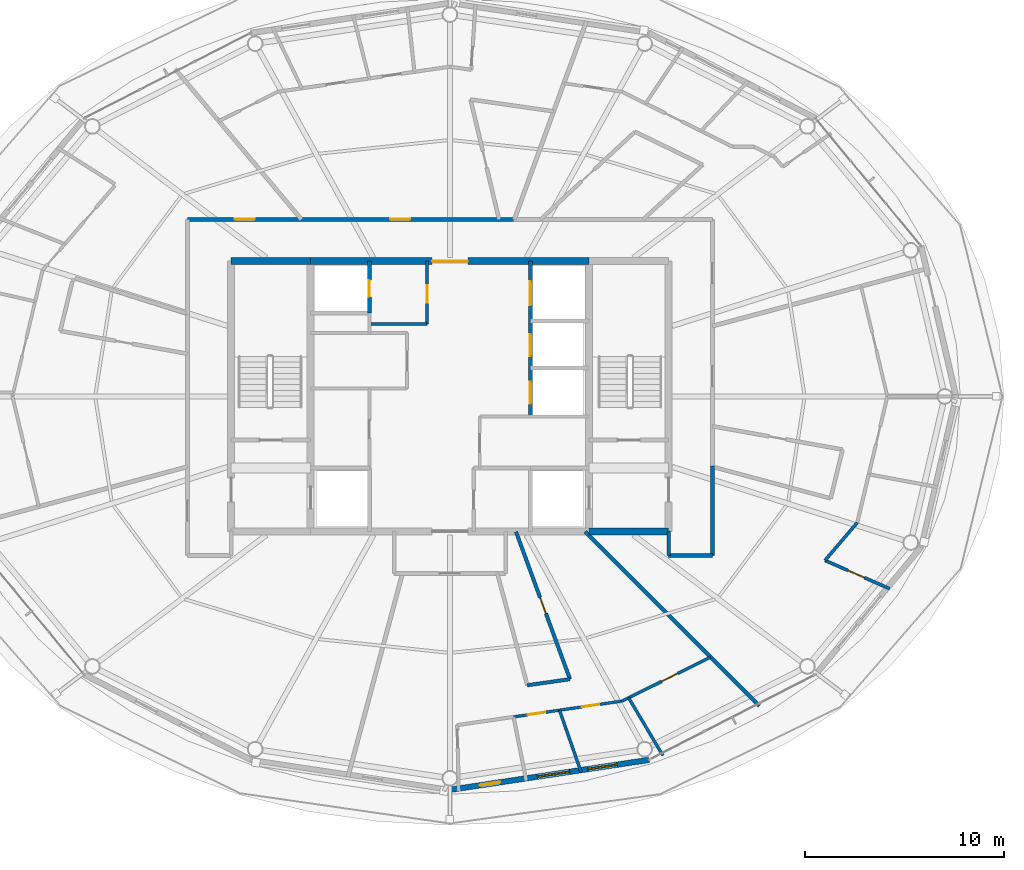
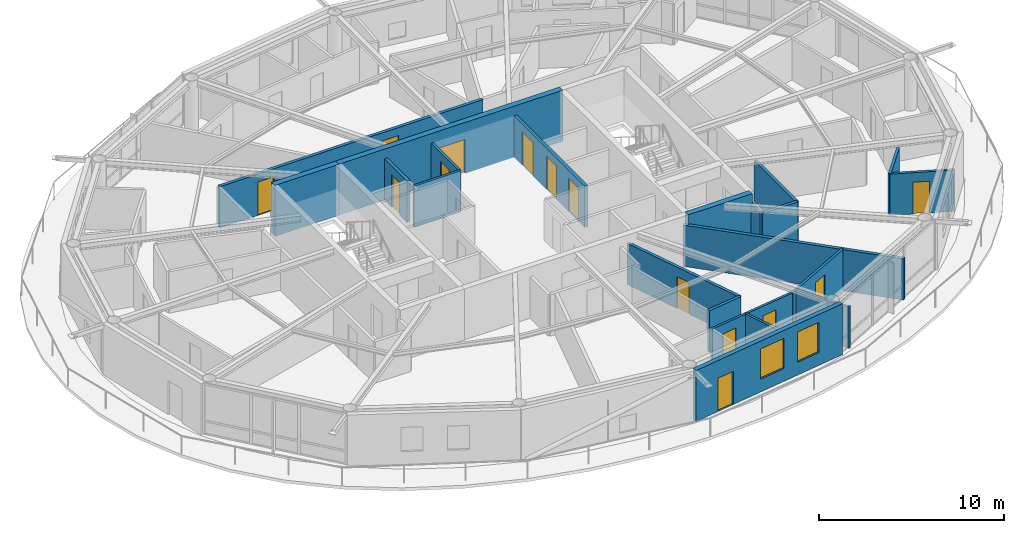
# One storey, part 17 of 23: 21 walls, 14 doors, 2 windows, 16 openings.
"""IFC4 building model written with IfcOpenShell, lengths in metres."""

from ifc_helpers import new_model, si_unit, direction, frame, frame_2d, origin, place, context, subcontext, project, spatial, rectangle, extrude, material, layer, layer_set, type_object, element, fill, save


model = new_model("IFC4")

# Units and contexts
model_context = context("Model", 3, precision=1e-05, world=origin(), true_north=direction((0.0, 1.0)))
body_context = subcontext(model_context, "Body", "Model", "MODEL_VIEW")
ifc_project = project(units=[si_unit("LENGTHUNIT", "METRE"), si_unit("AREAUNIT", "SQUARE_METRE"), si_unit("VOLUMEUNIT", "CUBIC_METRE"), si_unit("PLANEANGLEUNIT", "RADIAN"), si_unit("MASSUNIT", "GRAM", prefix="KILO")], contexts=[model_context])

# Site, building, storey
site_placement = place(None, origin())
site = spatial("IfcSite", under=ifc_project, at=site_placement, CompositionType="ELEMENT")
building_placement = place(site_placement, origin())
building = spatial("IfcBuilding", under=site, at=building_placement, Name="Sarneth Arch Tower", CompositionType="ELEMENT")
storey_placement = place(building_placement, frame((0.0, 0.0, 265.800048828125)))
storey = spatial("IfcBuildingStorey", under=building, at=storey_placement, Name="L68", CompositionType="ELEMENT", Elevation=265.800048828125)

# Walls
ifc_material_1 = material(Name="Concrete C50/60", Category="concrete")
ifc_layer_1 = layer(ifc_material_1, 0.35009765625)
ifc_layer_set_1 = layer_set([ifc_layer_1], Name="Concrete C50/60")
wall_type_1 = type_object("IfcWallType", Name="WALL-CORE-350", PredefinedType="SHEAR", material=ifc_layer_set_1)
for number, where, z_axis, x_axis, name in (
    (1, (55.0, 35.199951171875, 0.0), (0.0, 0.0, 1.0), (1.0, 0.0, 0.0), "L68 Core shear wall S-E"),
    (2, (37.0, 48.800048828125, 0.0), (0.0, 0.0, 1.0), (1.0, 0.0, 0.0), "L68 Core shear wall N-W"),
):
    element("IfcWall", number, at=place(storey_placement, frame(where, z_axis=z_axis, x_axis=x_axis)), inside=storey, type_object=wall_type_1, Name=name, PredefinedType="SHEAR", context=body_context, shape_type="SweptSolid", body=[
        extrude(rectangle(XDim=4.0, YDim=0.35009765625, at=frame_2d((2.0, 0.0))), origin(), (0.0, 0.0, 1.0), 3.369873046875),
    ])

# Wall, opening, door
wall_1_placement = place(storey_placement, frame((41.0, 48.800048828125, 0.0), z_axis=(0.0, 0.0, 1.0), x_axis=(1.0, 0.0, 0.0)))
wall_1 = element("IfcWall", 3, at=wall_1_placement, inside=storey, type_object=wall_type_1, Name="L68 Core shear wall N-M", PredefinedType="SHEAR", context=body_context, shape_type="SweptSolid", body=[
    extrude(rectangle(XDim=14.0, YDim=0.35009765625, at=frame_2d((7.0, 0.0))), origin(), (0.0, 0.0, 1.0), 3.369873046875),
])
opening_1_placement = place(wall_1_placement, frame((6.10009765625, 0.0, 0.0)))
opening_1 = element("IfcOpeningElement", 4, at=opening_1_placement, cuts=wall_1, Name="Opening FD-01", PredefinedType="OPENING", context=body_context, shape_type="SweptSolid", body=[
    extrude(rectangle(XDim=1.800048828125, YDim=2.25, at=frame_2d((0.89990234375, 1.125))), frame((0.0, 0.18505859375, 0.0), z_axis=(0.0, -1.0, 0.0), x_axis=(1.0, 0.0, 0.0)), (0.0, 0.0, 1.0), 0.3701171875),
])
ifc_material_2 = material(Name="Galvanised Steel S275 fire door set", Category="steel")
door_type_1 = type_object("IfcDoorType", Name="DR-FD90-1800", OperationType="DOUBLE_DOOR_SINGLE_SWING", PredefinedType="DOOR", material=ifc_material_2)
door_1_placement = place(opening_1_placement, origin())
door_1 = element("IfcDoor", 5, at=door_1_placement, inside=storey, type_object=door_type_1, Name="L68 Central lift lobby north door", OperationType="DOUBLE_DOOR_SINGLE_SWING", OverallHeight=2.25, OverallWidth=1.800048828125, PredefinedType="DOOR", context=body_context, shape_type="SweptSolid", body=[
    extrude(rectangle(XDim=1.800048828125, YDim=2.25, at=frame_2d((0.89990234375, 1.125))), frame((0.0, 0.02490234375, 0.0), z_axis=(0.0, -1.0, 0.0), x_axis=(1.0, 0.0, 0.0)), (0.0, 0.0, 1.0), 0.050048828125),
])
fill(opening_1, door_1)

# Wall, openings, doors
ifc_material_3 = material(Name="Double steel-stud corridor fire wall", Category="steel")
ifc_layer_2 = layer(ifc_material_3, 0.18994140625)
ifc_layer_set_2 = layer_set([ifc_layer_2], Name="Double steel-stud corridor fire wall")
wall_type_2 = type_object("IfcWallType", Name="WALL-CORR-190", PredefinedType="PARTITIONING", material=ifc_layer_set_2)
wall_2_placement = place(storey_placement, frame((34.800048828125, 50.89990234375, 0.0), z_axis=(0.0, 0.0, 1.0), x_axis=(1.0, 0.0, 0.0)))
wall_2 = element("IfcWall", 6, at=wall_2_placement, inside=storey, type_object=wall_type_2, Name="L68 Interior partition W-L68-TP-005", PredefinedType="PARTITIONING", context=body_context, shape_type="SweptSolid", body=[
    extrude(rectangle(XDim=16.473388671875, YDim=0.18994140625, at=frame_2d((8.23681640625, 0.0))), origin(), (0.0, 0.0, 1.0), 2.72998046875),
])
opening_2_placement = place(wall_2_placement, frame((10.1962890625, 0.0, 0.0)))
opening_2 = element("IfcOpeningElement", 7, at=opening_2_placement, cuts=wall_2, Name="Opening FD-08", PredefinedType="OPENING", context=body_context, shape_type="SweptSolid", body=[
    extrude(rectangle(XDim=1.0, YDim=2.199951171875, at=frame_2d((0.5, 1.10009765625))), frame((0.0, 0.10498046875, 0.0), z_axis=(0.0, -1.0, 0.0), x_axis=(1.0, 0.0, 0.0)), (0.0, 0.0, 1.0), 0.2099609375),
])
opening_3_placement = place(wall_2_placement, frame((2.386962890625, 0.0, 0.0)))
opening_3 = element("IfcOpeningElement", 8, at=opening_3_placement, cuts=wall_2, Name="Opening FD-08", PredefinedType="OPENING", context=body_context, shape_type="SweptSolid", body=[
    extrude(rectangle(XDim=1.0, YDim=2.199951171875, at=frame_2d((0.5, 1.10009765625))), frame((0.0, 0.10498046875, 0.0), z_axis=(0.0, -1.0, 0.0), x_axis=(1.0, 0.0, 0.0)), (0.0, 0.0, 1.0), 0.2099609375),
])
ifc_material_4 = material(Name="Hardwood timber acoustic fire door", Category="wood")
door_type_2 = type_object("IfcDoorType", Name="DR-FD60-1000", OperationType="SINGLE_SWING_LEFT", PredefinedType="DOOR", material=ifc_material_4)
door_2_placement = place(opening_2_placement, origin())
door_2 = element("IfcDoor", 9, at=door_2_placement, inside=storey, type_object=door_type_2, Name="L68 Interior door DR-L68-U2-ENT", OperationType="SINGLE_SWING_LEFT", OverallHeight=2.199951171875, OverallWidth=1.0, PredefinedType="DOOR", context=body_context, shape_type="SweptSolid", body=[
    extrude(rectangle(XDim=1.0, YDim=2.199951171875, at=frame_2d((0.5, 1.10009765625))), frame((0.0, 0.02490234375, 0.0), z_axis=(0.0, -1.0, 0.0), x_axis=(1.0, 0.0, 0.0)), (0.0, 0.0, 1.0), 0.050048828125),
])
fill(opening_2, door_2)
door_3_placement = place(opening_3_placement, origin())
door_3 = element("IfcDoor", 10, at=door_3_placement, inside=storey, type_object=door_type_2, Name="L68 Interior door DR-L68-U3-ENT", OperationType="SINGLE_SWING_LEFT", OverallHeight=2.199951171875, OverallWidth=1.0, PredefinedType="DOOR", context=body_context, shape_type="SweptSolid", body=[
    extrude(rectangle(XDim=1.0, YDim=2.199951171875, at=frame_2d((0.5, 1.10009765625))), frame((0.0, 0.02490234375, 0.0), z_axis=(0.0, -1.0, 0.0), x_axis=(1.0, 0.0, 0.0)), (0.0, 0.0, 1.0), 0.050048828125),
])
fill(opening_3, door_3)

# Walls
wall_3_placement = place(storey_placement, frame((61.199951171875, 38.49609375, 0.0), z_axis=(0.0, 0.0, 1.0), x_axis=(0.0, -1.0, 0.0)))
element("IfcWall", 11, at=wall_3_placement, inside=storey, type_object=wall_type_2, Name="L68 Interior partition W-L68-TP-014", PredefinedType="PARTITIONING", context=body_context, shape_type="SweptSolid", body=[
    extrude(rectangle(XDim=4.49609375, YDim=0.18994140625, at=frame_2d((2.248046875, 0.0))), origin(), (0.0, 0.0, 1.0), 2.72998046875),
])
wall_4_placement = place(storey_placement, frame((61.199951171875, 34.0, 0.0), z_axis=(0.0, 0.0, 1.0), x_axis=(-1.0, 0.0, 0.0)))
element("IfcWall", 12, at=wall_4_placement, inside=storey, type_object=wall_type_2, Name="L68 Interior partition W-L68-TP-015", PredefinedType="PARTITIONING", context=body_context, shape_type="SweptSolid", body=[
    extrude(rectangle(XDim=2.199951171875, YDim=0.18994140625, at=frame_2d((1.10009765625, 0.0))), origin(), (0.0, 0.0, 1.0), 2.72998046875),
])
wall_5_placement = place(storey_placement, frame((59.0, 34.0, 0.0), z_axis=(0.0, 0.0, 1.0), x_axis=(0.0, 1.0, 0.0)))
element("IfcWall", 13, at=wall_5_placement, inside=storey, type_object=wall_type_2, Name="L68 Interior partition W-L68-TP-016", PredefinedType="PARTITIONING", context=body_context, shape_type="SweptSolid", body=[
    extrude(rectangle(XDim=1.23193359375, YDim=0.18994140625, at=frame_2d((0.615966796875, 0.0))), origin(), (0.0, 0.0, 1.0), 2.72998046875),
])

# Wall, openings, door, windows
ifc_material_5 = material(Name="Extruded terracotta rainscreen on Concrete C40/50 backing", Category="masonry")
ifc_layer_3 = layer(ifc_material_5, 0.280029296875)
ifc_layer_set_3 = layer_set([ifc_layer_3], Name="Extruded terracotta rainscreen on Concrete C40/50 backing")
wall_type_3 = type_object("IfcWallType", Name="WALL-EXT-TERRA-280", PredefinedType="SOLIDWALL", material=ifc_layer_set_3)
wall_6_placement = place(storey_placement, frame((48.0, 22.219970703125, 0.0), z_axis=(0.0, 0.0, 1.0), x_axis=(0.988882522213, 0.148698881169, 0.0)))
wall_6 = element("IfcWall", 14, at=wall_6_placement, inside=storey, type_object=wall_type_3, Name="L68 Terracotta perimeter wall 13", PredefinedType="SOLIDWALL", context=body_context, shape_type="SweptSolid", body=[
    extrude(rectangle(XDim=10.125244140625, YDim=0.280029296875, at=frame_2d((5.0625, 0.0))), origin(), (0.0, 0.0, 1.0), 3.369873046875),
])
opening_4_placement = place(wall_6_placement, frame((1.51611328125, 0.0, 0.0)))
opening_4 = element("IfcOpeningElement", 15, at=opening_4_placement, cuts=wall_6, Name="Opening BD-4", PredefinedType="OPENING", context=body_context, shape_type="SweptSolid", body=[
    extrude(rectangle(XDim=1.050048828125, YDim=2.199951171875, at=frame_2d((0.52490234375, 1.10009765625))), frame((0.0, 0.14990234375, 0.0), z_axis=(0.0, -1.0, 0.0), x_axis=(1.0, 0.0, 0.0)), (0.0, 0.0, 1.0), 0.300048828125),
])
opening_5_placement = place(wall_6_placement, frame((4.436279296875, 0.0, 0.85009765625)))
opening_5 = element("IfcOpeningElement", 16, at=opening_5_placement, cuts=wall_6, Name="Opening W-05", PredefinedType="OPENING", context=body_context, shape_type="SweptSolid", body=[
    extrude(rectangle(XDim=1.64990234375, YDim=2.0, at=frame_2d((0.824951171875, 1.0))), frame((0.0, 0.14990234375, 0.0), z_axis=(0.0, -1.0, 0.0), x_axis=(1.0, 0.0, 0.0)), (0.0, 0.0, 1.0), 0.300048828125),
])
opening_6_placement = place(wall_6_placement, frame((6.997314453125, 0.0, 0.85009765625)))
opening_6 = element("IfcOpeningElement", 17, at=opening_6_placement, cuts=wall_6, Name="Opening W-06", PredefinedType="OPENING", context=body_context, shape_type="SweptSolid", body=[
    extrude(rectangle(XDim=1.5, YDim=2.0, at=frame_2d((0.75, 1.0))), frame((0.0, 0.14990234375, 0.0), z_axis=(0.0, -1.0, 0.0), x_axis=(1.0, 0.0, 0.0)), (0.0, 0.0, 1.0), 0.300048828125),
])
ifc_material_6 = material(Name="Thermally broken Aluminium 6063-T6 and laminated safety glass", Category="aluminium")
door_type_3 = type_object("IfcDoorType", Name="DR-BALC-GLZ-1050", OperationType="SINGLE_SWING_RIGHT", PredefinedType="DOOR", material=ifc_material_6)
door_4_placement = place(opening_4_placement, origin())
door_4 = element("IfcDoor", 18, at=door_4_placement, inside=storey, type_object=door_type_3, Name="L68 Balcony glazed door 13", OperationType="SINGLE_SWING_RIGHT", OverallHeight=2.199951171875, OverallWidth=1.050048828125, PredefinedType="DOOR", context=body_context, shape_type="SweptSolid", body=[
    extrude(rectangle(XDim=1.050048828125, YDim=2.199951171875, at=frame_2d((0.52490234375, 1.10009765625))), frame((0.0, 0.02490234375, 0.0), z_axis=(0.0, -1.0, 0.0), x_axis=(1.0, 0.0, 0.0)), (0.0, 0.0, 1.0), 0.050048828125),
])
fill(opening_4, door_4)
ifc_material_7 = material(Name="Thermally broken Aluminium 6063-T6 and low-e laminated IGU", Category="aluminium")
window_type_1 = type_object("IfcWindowType", Name="WIN-TWR-1500x2000", PartitioningType="SINGLE_PANEL", PredefinedType="WINDOW", material=ifc_material_7)
window_1_placement = place(opening_6_placement, origin())
window_1 = element("IfcWindow", 19, at=window_1_placement, inside=storey, type_object=window_type_1, Name="L68 Exterior window 13B", OverallHeight=2.0, OverallWidth=1.5, PartitioningType="SINGLE_PANEL", PredefinedType="WINDOW", context=body_context, shape_type="SweptSolid", body=[
    extrude(rectangle(XDim=1.5, YDim=2.0, at=frame_2d((0.75, 1.0))), frame((0.0, 0.030029296875, 0.0), z_axis=(0.0, -1.0, 0.0), x_axis=(1.0, 0.0, 0.0)), (0.0, 0.0, 1.0), 0.06005859375),
])
fill(opening_6, window_1)
ifc_material_8 = material(Name="Thermally broken Aluminium 6063-T6 and low-e laminated IGU", Category="aluminium")
window_type_2 = type_object("IfcWindowType", Name="WIN-TWR-1650x2000", PartitioningType="DOUBLE_PANEL_VERTICAL", PredefinedType="WINDOW", material=ifc_material_8)
window_2_placement = place(opening_5_placement, origin())
window_2 = element("IfcWindow", 20, at=window_2_placement, inside=storey, type_object=window_type_2, Name="L68 Exterior window 13A", OverallHeight=2.0, OverallWidth=1.64990234375, PartitioningType="SINGLE_PANEL", PredefinedType="WINDOW", context=body_context, shape_type="SweptSolid", body=[
    extrude(rectangle(XDim=1.64990234375, YDim=2.0, at=frame_2d((0.824951171875, 1.0))), frame((0.0, 0.030029296875, 0.0), z_axis=(0.0, -1.0, 0.0), x_axis=(1.0, 0.0, 0.0)), (0.0, 0.0, 1.0), 0.06005859375),
])
fill(opening_5, window_2)

# Wall, openings, doors
ifc_material_9 = material(Name="Apartment internal stud partition", Category="gypsum")
ifc_layer_4 = layer(ifc_material_9, 0.139892578125)
ifc_layer_set_4 = layer_set([ifc_layer_4], Name="Apartment internal stud partition")
wall_type_4 = type_object("IfcWallType", Name="WALL-PART-140", PredefinedType="PARTITIONING", material=ifc_layer_set_4)
wall_7_placement = place(storey_placement, frame((56.65478515625, 26.68212890625, 0.0), z_axis=(0.0, 0.0, 1.0), x_axis=(-0.989532194991, -0.144312283177, 0.0)))
wall_7 = element("IfcWall", 21, at=wall_7_placement, inside=storey, type_object=wall_type_4, Name="L68 Interior partition W-L68-TP-080", PredefinedType="PARTITIONING", context=body_context, shape_type="SweptSolid", body=[
    extrude(rectangle(XDim=5.5439453125, YDim=0.139892578125, at=frame_2d((2.77197265625, 0.0))), origin(), (0.0, 0.0, 1.0), 2.72998046875),
])
opening_7_placement = place(wall_7_placement, frame((1.155517578125, 0.0, 0.0)))
opening_7 = element("IfcOpeningElement", 22, at=opening_7_placement, cuts=wall_7, Name="Opening ID-01", PredefinedType="OPENING", context=body_context, shape_type="SweptSolid", body=[
    extrude(rectangle(XDim=0.89990234375, YDim=2.10009765625, at=frame_2d((0.449951171875, 1.050048828125))), frame((0.0, 0.079833984375, 0.0), z_axis=(0.0, -1.0, 0.0), x_axis=(1.0, 0.0, 0.0)), (0.0, 0.0, 1.0), 0.159912109375),
])
opening_8_placement = place(wall_7_placement, frame((3.894775390625, 0.0, 0.0)))
opening_8 = element("IfcOpeningElement", 23, at=opening_8_placement, cuts=wall_7, Name="Opening ID-01", PredefinedType="OPENING", context=body_context, shape_type="SweptSolid", body=[
    extrude(rectangle(XDim=0.89990234375, YDim=2.10009765625, at=frame_2d((0.449951171875, 1.050048828125))), frame((0.0, 0.079833984375, 0.0), z_axis=(0.0, -1.0, 0.0), x_axis=(1.0, 0.0, 0.0)), (0.0, 0.0, 1.0), 0.159912109375),
])
ifc_material_10 = material(Name="Engineered hardwood flush door", Category="wood")
door_type_4 = type_object("IfcDoorType", Name="DR-INT-900", OperationType="SINGLE_SWING_LEFT", PredefinedType="DOOR", material=ifc_material_10)
door_5_placement = place(opening_7_placement, origin())
door_5 = element("IfcDoor", 24, at=door_5_placement, inside=storey, type_object=door_type_4, Name="L68 Interior door DR-L68-U5-BED2", OperationType="SINGLE_SWING_LEFT", OverallHeight=2.10009765625, OverallWidth=0.89990234375, PredefinedType="DOOR", context=body_context, shape_type="SweptSolid", body=[
    extrude(rectangle(XDim=0.89990234375, YDim=2.10009765625, at=frame_2d((0.449951171875, 1.050048828125))), frame((0.0, 0.02490234375, 0.0), z_axis=(0.0, -1.0, 0.0), x_axis=(1.0, 0.0, 0.0)), (0.0, 0.0, 1.0), 0.050048828125),
])
fill(opening_7, door_5)
door_6_placement = place(opening_8_placement, origin())
door_6 = element("IfcDoor", 25, at=door_6_placement, inside=storey, type_object=door_type_4, Name="L68 Interior door DR-L68-U5-BED1", OperationType="SINGLE_SWING_RIGHT", OverallHeight=2.10009765625, OverallWidth=0.89990234375, PredefinedType="DOOR", context=body_context, shape_type="SweptSolid", body=[
    extrude(rectangle(XDim=0.89990234375, YDim=2.10009765625, at=frame_2d((0.449951171875, 1.050048828125))), frame((0.0, 0.02490234375, 0.0), z_axis=(0.0, -1.0, 0.0), x_axis=(1.0, 0.0, 0.0)), (0.0, 0.0, 1.0), 0.050048828125),
])
fill(opening_8, door_6)

# Wall
ifc_material_11 = material(Name="Acoustic gypsum stud partition", Category="gypsum")
ifc_layer_5 = layer(ifc_material_11, 0.14990234375)
ifc_layer_set_5 = layer_set([ifc_layer_5], Name="Acoustic gypsum stud partition")
wall_type_5 = type_object("IfcWallType", Name="WALL-PART-150", PredefinedType="PARTITIONING", material=ifc_layer_set_5)
wall_8_placement = place(storey_placement, frame((43.949951171875, 45.64990234375, 0.0), z_axis=(0.0, 0.0, 1.0), x_axis=(1.0, 0.0, 0.0)))
element("IfcWall", 26, at=wall_8_placement, inside=storey, type_object=wall_type_5, Name="L68 Interior partition W-L68-CSUP1-S", PredefinedType="PARTITIONING", context=body_context, shape_type="SweptSolid", body=[
    extrude(rectangle(XDim=2.900146484375, YDim=0.14990234375, at=frame_2d((1.4501953125, 0.0))), origin(), (0.0, 0.0, 1.0), 2.72998046875),
])

# Wall, opening, door
wall_9_placement = place(storey_placement, frame((46.85009765625, 45.64990234375, 0.0), z_axis=(0.0, 0.0, 1.0), x_axis=(0.0, 1.0, 0.0)))
wall_9 = element("IfcWall", 27, at=wall_9_placement, inside=storey, type_object=wall_type_5, Name="L68 Interior partition W-L68-CSUP1-E", PredefinedType="PARTITIONING", context=body_context, shape_type="SweptSolid", body=[
    extrude(rectangle(XDim=3.150146484375, YDim=0.14990234375, at=frame_2d((1.5751953125, 0.0))), origin(), (0.0, 0.0, 1.0), 2.72998046875),
])
opening_9_placement = place(wall_9_placement, frame((1.050048828125, 0.0, 0.0)))
opening_9 = element("IfcOpeningElement", 28, at=opening_9_placement, cuts=wall_9, Name="Opening FD-10", PredefinedType="OPENING", context=body_context, shape_type="SweptSolid", body=[
    extrude(rectangle(XDim=0.89990234375, YDim=2.14990234375, at=frame_2d((0.449951171875, 1.074951171875))), frame((0.0, 0.0849609375, 0.0), z_axis=(0.0, -1.0, 0.0), x_axis=(1.0, 0.0, 0.0)), (0.0, 0.0, 1.0), 0.169921875),
])
ifc_material_12 = material(Name="Galvanised Steel S275 riser/service fire door", Category="steel")
door_type_5 = type_object("IfcDoorType", Name="DR-FD60-900", OperationType="SINGLE_SWING_LEFT", PredefinedType="DOOR", material=ifc_material_12)
door_7_placement = place(opening_9_placement, origin())
door_7 = element("IfcDoor", 29, at=door_7_placement, inside=storey, type_object=door_type_5, Name="L68 Interior door DR-L68-CSUP1", OperationType="SINGLE_SWING_LEFT", OverallHeight=2.14990234375, OverallWidth=0.89990234375, PredefinedType="DOOR", context=body_context, shape_type="SweptSolid", body=[
    extrude(rectangle(XDim=0.89990234375, YDim=2.14990234375, at=frame_2d((0.449951171875, 1.074951171875))), frame((0.0, 0.02490234375, 0.0), z_axis=(0.0, -1.0, 0.0), x_axis=(1.0, 0.0, 0.0)), (0.0, 0.0, 1.0), 0.050048828125),
])
fill(opening_9, door_7)

wall_10_placement = place(storey_placement, frame((56.65478515625, 26.68212890625, 0.0), z_axis=(0.0, 0.0, 1.0), x_axis=(0.895583327025, 0.444893812449, 0.0)))
wall_10 = element("IfcWall", 30, at=wall_10_placement, inside=storey, type_object=wall_type_5, Name="L68 Interior partition W-L68-TP-081", PredefinedType="PARTITIONING", context=body_context, shape_type="SweptSolid", body=[
    extrude(rectangle(XDim=4.970703125, YDim=0.14990234375, at=frame_2d((2.4853515625, 0.0))), origin(), (0.0, 0.0, 1.0), 2.72998046875),
])
opening_10_placement = place(wall_10_placement, frame((2.22021484375, 0.0, 0.0)))
opening_10 = element("IfcOpeningElement", 31, at=opening_10_placement, cuts=wall_10, Name="Opening ID-01", PredefinedType="OPENING", context=body_context, shape_type="SweptSolid", body=[
    extrude(rectangle(XDim=0.89990234375, YDim=2.10009765625, at=frame_2d((0.449951171875, 1.050048828125))), frame((0.0, 0.0849609375, 0.0), z_axis=(0.0, -1.0, 0.0), x_axis=(1.0, 0.0, 0.0)), (0.0, 0.0, 1.0), 0.169921875),
])
door_8_placement = place(opening_10_placement, origin())
door_8 = element("IfcDoor", 32, at=door_8_placement, inside=storey, type_object=door_type_4, Name="L68 Interior door DR-L68-U5-BED3", OperationType="SINGLE_SWING_LEFT", OverallHeight=2.10009765625, OverallWidth=0.89990234375, PredefinedType="DOOR", context=body_context, shape_type="SweptSolid", body=[
    extrude(rectangle(XDim=0.89990234375, YDim=2.10009765625, at=frame_2d((0.449951171875, 1.050048828125))), frame((0.0, 0.02490234375, 0.0), z_axis=(0.0, -1.0, 0.0), x_axis=(1.0, 0.0, 0.0)), (0.0, 0.0, 1.0), 0.050048828125),
])
fill(opening_10, door_8)

# Walls
wall_11_placement = place(storey_placement, frame((58.705810546875, 23.9462890625, 0.0), z_axis=(0.0, 0.0, 1.0), x_axis=(-0.510016720958, 0.860164486795, 0.0)))
element("IfcWall", 33, at=wall_11_placement, inside=storey, type_object=wall_type_5, Name="L68 Interior partition W-L68-TP-085", PredefinedType="PARTITIONING", context=body_context, shape_type="SweptSolid", body=[
    extrude(rectangle(XDim=3.371826171875, YDim=0.14990234375, at=frame_2d((1.68603515625, 0.0))), origin(), (0.0, 0.0, 1.0), 2.72998046875),
])
wall_12_placement = place(storey_placement, frame((53.509765625, 26.223388671875, 0.0), z_axis=(0.0, 0.0, 1.0), x_axis=(0.329694293347, -0.944087746417, 0.0)))
element("IfcWall", 34, at=wall_12_placement, inside=storey, type_object=wall_type_5, Name="L68 Interior partition W-L68-TP-084", PredefinedType="PARTITIONING", context=body_context, shape_type="SweptSolid", body=[
    extrude(rectangle(XDim=3.315185546875, YDim=0.14990234375, at=frame_2d((1.65771484375, 0.0))), origin(), (0.0, 0.0, 1.0), 2.72998046875),
])

# Wall, opening, door
ifc_material_13 = material(Name="Kitchen wet service chase wall", Category="gypsum")
ifc_layer_6 = layer(ifc_material_13, 0.159912109375)
ifc_layer_set_6 = layer_set([ifc_layer_6], Name="Kitchen wet service chase wall")
wall_type_6 = type_object("IfcWallType", Name="WALL-PLUMB-160", PredefinedType="PLUMBINGWALL", material=ifc_layer_set_6)
wall_13_placement = place(storey_placement, frame((70.10791015625, 32.33349609375, 0.0), z_axis=(0.0, 0.0, 1.0), x_axis=(-0.916236311754, 0.400638267048, 0.0)))
wall_13 = element("IfcWall", 35, at=wall_13_placement, inside=storey, type_object=wall_type_6, Name="L68 Interior partition W-L68-TP-087", PredefinedType="PLUMBINGWALL", context=body_context, shape_type="SweptSolid", body=[
    extrude(rectangle(XDim=3.546630859375, YDim=0.159912109375, at=frame_2d((1.7734375, 0.0))), origin(), (0.0, 0.0, 1.0), 2.72998046875),
])
opening_11_placement = place(wall_13_placement, frame((1.38330078125, 0.0, 0.0)))
opening_11 = element("IfcOpeningElement", 36, at=opening_11_placement, cuts=wall_13, Name="Opening ID-01", PredefinedType="OPENING", context=body_context, shape_type="SweptSolid", body=[
    extrude(rectangle(XDim=0.89990234375, YDim=2.10009765625, at=frame_2d((0.449951171875, 1.050048828125))), frame((0.0, 0.08984375, 0.0), z_axis=(0.0, -1.0, 0.0), x_axis=(1.0, 0.0, 0.0)), (0.0, 0.0, 1.0), 0.179931640625),
])
door_9_placement = place(opening_11_placement, origin())
door_9 = element("IfcDoor", 37, at=door_9_placement, inside=storey, type_object=door_type_4, Name="L68 Interior door DR-L68-U6-KIT", OperationType="SINGLE_SWING_LEFT", OverallHeight=2.10009765625, OverallWidth=0.89990234375, PredefinedType="DOOR", context=body_context, shape_type="SweptSolid", body=[
    extrude(rectangle(XDim=0.89990234375, YDim=2.10009765625, at=frame_2d((0.449951171875, 1.050048828125))), frame((0.0, 0.02490234375, 0.0), z_axis=(0.0, -1.0, 0.0), x_axis=(1.0, 0.0, 0.0)), (0.0, 0.0, 1.0), 0.050048828125),
])
fill(opening_11, door_9)

# Wall
wall_14_placement = place(storey_placement, frame((66.8583984375, 33.75439453125, 0.0), z_axis=(0.0, 0.0, 1.0), x_axis=(0.649277541607, 0.760551559044, 0.0)))
element("IfcWall", 38, at=wall_14_placement, inside=storey, type_object=wall_type_6, Name="L68 Interior partition W-L68-TP-088", PredefinedType="PLUMBINGWALL", context=body_context, shape_type="SweptSolid", body=[
    extrude(rectangle(XDim=2.4990234375, YDim=0.159912109375, at=frame_2d((1.24951171875, 0.0))), origin(), (0.0, 0.0, 1.0), 2.72998046875),
])

# Wall, opening, door
ifc_material_14 = material(Name="Moisture-resistant plumbing chase wall", Category="gypsum")
ifc_layer_7 = layer(ifc_material_14, 0.179931640625)
ifc_layer_set_7 = layer_set([ifc_layer_7], Name="Moisture-resistant plumbing chase wall")
wall_type_7 = type_object("IfcWallType", Name="WALL-PLUMB-180", PredefinedType="PLUMBINGWALL", material=ifc_layer_set_7)
wall_15_placement = place(storey_placement, frame((51.322021484375, 35.199951171875, 0.0), z_axis=(0.0, 0.0, 1.0), x_axis=(0.343730484072, -0.939068343796, 0.0)))
wall_15 = element("IfcWall", 39, at=wall_15_placement, inside=storey, type_object=wall_type_7, Name="L68 Interior partition W-L68-TP-075", PredefinedType="PLUMBINGWALL", context=body_context, shape_type="SweptSolid", body=[
    extrude(rectangle(XDim=7.8974609375, YDim=0.179931640625, at=frame_2d((3.94873046875, 0.0))), origin(), (0.0, 0.0, 1.0), 2.72998046875),
])
opening_12_placement = place(wall_15_placement, frame((3.523681640625, 0.0, 0.0)))
opening_12 = element("IfcOpeningElement", 40, at=opening_12_placement, cuts=wall_15, Name="Opening ID-02", PredefinedType="OPENING", context=body_context, shape_type="SweptSolid", body=[
    extrude(rectangle(XDim=0.85009765625, YDim=2.10009765625, at=frame_2d((0.425048828125, 1.050048828125))), frame((0.0, 0.099853515625, 0.0), z_axis=(0.0, -1.0, 0.0), x_axis=(1.0, 0.0, 0.0)), (0.0, 0.0, 1.0), 0.199951171875),
])
ifc_material_15 = material(Name="Moisture-resistant bathroom timber door", Category="wood")
door_type_6 = type_object("IfcDoorType", Name="DR-INT-850", OperationType="SINGLE_SWING_RIGHT", PredefinedType="DOOR", material=ifc_material_15)
door_10_placement = place(opening_12_placement, origin())
door_10 = element("IfcDoor", 41, at=door_10_placement, inside=storey, type_object=door_type_6, Name="L68 Interior door DR-L68-U5-BATH", OperationType="SINGLE_SWING_LEFT", OverallHeight=2.10009765625, OverallWidth=0.85009765625, PredefinedType="DOOR", context=body_context, shape_type="SweptSolid", body=[
    extrude(rectangle(XDim=0.85009765625, YDim=2.10009765625, at=frame_2d((0.425048828125, 1.050048828125))), frame((0.0, 0.02490234375, 0.0), z_axis=(0.0, -1.0, 0.0), x_axis=(1.0, 0.0, 0.0)), (0.0, 0.0, 1.0), 0.050048828125),
])
fill(opening_12, door_10)

# Wall
wall_16_placement = place(storey_placement, frame((54.03662109375, 27.78369140625, 0.0), z_axis=(0.0, 0.0, 1.0), x_axis=(-0.989920178177, -0.141626412926, 0.0)))
element("IfcWall", 42, at=wall_16_placement, inside=storey, type_object=wall_type_7, Name="L68 Interior partition W-L68-TP-076", PredefinedType="PLUMBINGWALL", context=body_context, shape_type="SweptSolid", body=[
    extrude(rectangle(XDim=2.166748046875, YDim=0.179931640625, at=frame_2d((1.08349609375, 0.0))), origin(), (0.0, 0.0, 1.0), 2.72998046875),
])

# Wall, opening, door
ifc_material_16 = material(Name="Aerated concrete blockwork C25/30", Category="masonry")
ifc_layer_8 = layer(ifc_material_16, 0.199951171875)
ifc_layer_set_8 = layer_set([ifc_layer_8], Name="Aerated concrete blockwork C25/30")
wall_type_8 = type_object("IfcWallType", Name="WALL-SHAFT-200", PredefinedType="SOLIDWALL", material=ifc_layer_set_8)
wall_17_placement = place(storey_placement, frame((43.949951171875, 46.199951171875, 0.0), z_axis=(0.0, 0.0, 1.0), x_axis=(0.0, 1.0, 0.0)))
wall_17 = element("IfcWall", 43, at=wall_17_placement, inside=storey, type_object=wall_type_8, Name="L68 Interior partition W-L68-RISER-E", PredefinedType="SOLIDWALL", context=body_context, shape_type="SweptSolid", body=[
    extrude(rectangle(XDim=2.60009765625, YDim=0.199951171875, at=frame_2d((1.300048828125, 0.0))), origin(), (0.0, 0.0, 1.0), 2.72998046875),
])
opening_13_placement = place(wall_17_placement, frame((0.800048828125, 0.0, 0.0)))
opening_13 = element("IfcOpeningElement", 44, at=opening_13_placement, cuts=wall_17, Name="Opening FD-11", PredefinedType="OPENING", context=body_context, shape_type="SweptSolid", body=[
    extrude(rectangle(XDim=0.85009765625, YDim=2.14990234375, at=frame_2d((0.425048828125, 1.074951171875))), frame((0.0, 0.10986328125, 0.0), z_axis=(0.0, -1.0, 0.0), x_axis=(1.0, 0.0, 0.0)), (0.0, 0.0, 1.0), 0.219970703125),
])
ifc_material_17 = material(Name="Galvanised Steel S275 closet fire door", Category="steel")
door_type_7 = type_object("IfcDoorType", Name="DR-FD60-850", OperationType="SINGLE_SWING_LEFT", PredefinedType="DOOR", material=ifc_material_17)
door_11_placement = place(opening_13_placement, origin())
door_11 = element("IfcDoor", 45, at=door_11_placement, inside=storey, type_object=door_type_7, Name="L68 Lift landing door DR-L68-RISER", OperationType="SINGLE_SWING_LEFT", OverallHeight=2.14990234375, OverallWidth=0.85009765625, PredefinedType="DOOR", context=body_context, shape_type="SweptSolid", body=[
    extrude(rectangle(XDim=0.85009765625, YDim=2.14990234375, at=frame_2d((0.425048828125, 1.074951171875))), frame((0.0, 0.02490234375, 0.0), z_axis=(0.0, -1.0, 0.0), x_axis=(1.0, 0.0, 0.0)), (0.0, 0.0, 1.0), 0.050048828125),
])
fill(opening_13, door_11)

# Wall, openings, doors
wall_18_placement = place(storey_placement, frame((52.050048828125, 40.97998046875, 0.0), z_axis=(0.0, 0.0, 1.0), x_axis=(0.0, 1.0, 0.0)))
wall_18 = element("IfcWall", 46, at=wall_18_placement, inside=storey, type_object=wall_type_8, Name="L68 Interior partition W-L68-EASTBANK-UPPER", PredefinedType="SOLIDWALL", context=body_context, shape_type="SweptSolid", body=[
    extrude(rectangle(XDim=7.820068359375, YDim=0.199951171875, at=frame_2d((3.91015625, 0.0))), origin(), (0.0, 0.0, 1.0), 2.72998046875),
])
opening_14_placement = place(wall_18_placement, frame((0.64990234375, 0.0, 0.0)))
opening_14 = element("IfcOpeningElement", 47, at=opening_14_placement, cuts=wall_18, Name="Opening LD-1", PredefinedType="OPENING", context=body_context, shape_type="SweptSolid", body=[
    extrude(rectangle(XDim=1.10009765625, YDim=2.199951171875, at=frame_2d((0.550048828125, 1.10009765625))), frame((0.0, 0.10986328125, 0.0), z_axis=(0.0, -1.0, 0.0), x_axis=(1.0, 0.0, 0.0)), (0.0, 0.0, 1.0), 0.219970703125),
])
opening_15_placement = place(wall_18_placement, frame((3.050048828125, 0.0, 0.0)))
opening_15 = element("IfcOpeningElement", 48, at=opening_15_placement, cuts=wall_18, Name="Opening LD-1", PredefinedType="OPENING", context=body_context, shape_type="SweptSolid", body=[
    extrude(rectangle(XDim=1.10009765625, YDim=2.199951171875, at=frame_2d((0.550048828125, 1.10009765625))), frame((0.0, 0.10986328125, 0.0), z_axis=(0.0, -1.0, 0.0), x_axis=(1.0, 0.0, 0.0)), (0.0, 0.0, 1.0), 0.219970703125),
])
opening_16_placement = place(wall_18_placement, frame((5.60009765625, 0.0, 0.0)))
opening_16 = element("IfcOpeningElement", 49, at=opening_16_placement, cuts=wall_18, Name="Opening LD-2", PredefinedType="OPENING", context=body_context, shape_type="SweptSolid", body=[
    extrude(rectangle(XDim=1.199951171875, YDim=2.199951171875, at=frame_2d((0.60009765625, 1.10009765625))), frame((0.0, 0.10986328125, 0.0), z_axis=(0.0, -1.0, 0.0), x_axis=(1.0, 0.0, 0.0)), (0.0, 0.0, 1.0), 0.219970703125),
])
ifc_material_18 = material(Name="Brushed Stainless Steel 304 lift landing door", Category="steel")
door_type_8 = type_object("IfcDoorType", Name="DR-LIFT-SLIDE-1100", OperationType="SLIDING_TO_LEFT", PredefinedType="DOOR", material=ifc_material_18)
door_12_placement = place(opening_14_placement, origin())
door_12 = element("IfcDoor", 50, at=door_12_placement, inside=storey, type_object=door_type_8, Name="L68 Lift landing door DR-L68-LD-PH1", OperationType="SLIDING_TO_RIGHT", OverallHeight=2.199951171875, OverallWidth=1.10009765625, PredefinedType="DOOR", context=body_context, shape_type="SweptSolid", body=[
    extrude(rectangle(XDim=1.10009765625, YDim=2.199951171875, at=frame_2d((0.550048828125, 1.10009765625))), frame((0.0, 0.02490234375, 0.0), z_axis=(0.0, -1.0, 0.0), x_axis=(1.0, 0.0, 0.0)), (0.0, 0.0, 1.0), 0.050048828125),
])
fill(opening_14, door_12)
door_13_placement = place(opening_15_placement, origin())
door_13 = element("IfcDoor", 51, at=door_13_placement, inside=storey, type_object=door_type_8, Name="L68 Lift landing door DR-L68-LD-PH2", OperationType="SLIDING_TO_LEFT", OverallHeight=2.199951171875, OverallWidth=1.10009765625, PredefinedType="DOOR", context=body_context, shape_type="SweptSolid", body=[
    extrude(rectangle(XDim=1.10009765625, YDim=2.199951171875, at=frame_2d((0.550048828125, 1.10009765625))), frame((0.0, 0.02490234375, 0.0), z_axis=(0.0, -1.0, 0.0), x_axis=(1.0, 0.0, 0.0)), (0.0, 0.0, 1.0), 0.050048828125),
])
fill(opening_15, door_13)
ifc_material_19 = material(Name="Brushed Stainless Steel 304 service lift door", Category="steel")
door_type_9 = type_object("IfcDoorType", Name="DR-LIFT-SLIDE-1200", OperationType="SLIDING_TO_RIGHT", PredefinedType="DOOR", material=ifc_material_19)
door_14_placement = place(opening_16_placement, origin())
door_14 = element("IfcDoor", 52, at=door_14_placement, inside=storey, type_object=door_type_9, Name="L68 Lift landing door DR-L68-LD-SL1", OperationType="SLIDING_TO_RIGHT", OverallHeight=2.199951171875, OverallWidth=1.199951171875, PredefinedType="DOOR", context=body_context, shape_type="SweptSolid", body=[
    extrude(rectangle(XDim=1.199951171875, YDim=2.199951171875, at=frame_2d((0.60009765625, 1.10009765625))), frame((0.0, 0.02490234375, 0.0), z_axis=(0.0, -1.0, 0.0), x_axis=(1.0, 0.0, 0.0)), (0.0, 0.0, 1.0), 0.050048828125),
])
fill(opening_16, door_14)

# Wall
ifc_material_20 = material(Name="Double steel-stud acoustic drywall", Category="steel")
ifc_layer_9 = layer(ifc_material_20, 0.199951171875)
ifc_layer_set_9 = layer_set([ifc_layer_9], Name="Double steel-stud acoustic drywall")
wall_type_9 = type_object("IfcWallType", Name="WALL-UNIT-200", PredefinedType="PARTITIONING", material=ifc_layer_set_9)
wall_19_placement = place(storey_placement, frame((63.560546875, 26.439453125, 0.0), z_axis=(0.0, 0.0, 1.0), x_axis=(-0.707106781187, 0.707106781187, 0.0)))
element("IfcWall", 53, at=wall_19_placement, inside=storey, type_object=wall_type_9, Name="L68 Interior partition W-L68-TP-082", PredefinedType="PARTITIONING", context=body_context, shape_type="SweptSolid", body=[
    extrude(rectangle(XDim=12.38916015625, YDim=0.199951171875, at=frame_2d((6.194580078125, 0.0))), origin(), (0.0, 0.0, 1.0), 2.72998046875),
])

save(model, "model.ifc")
